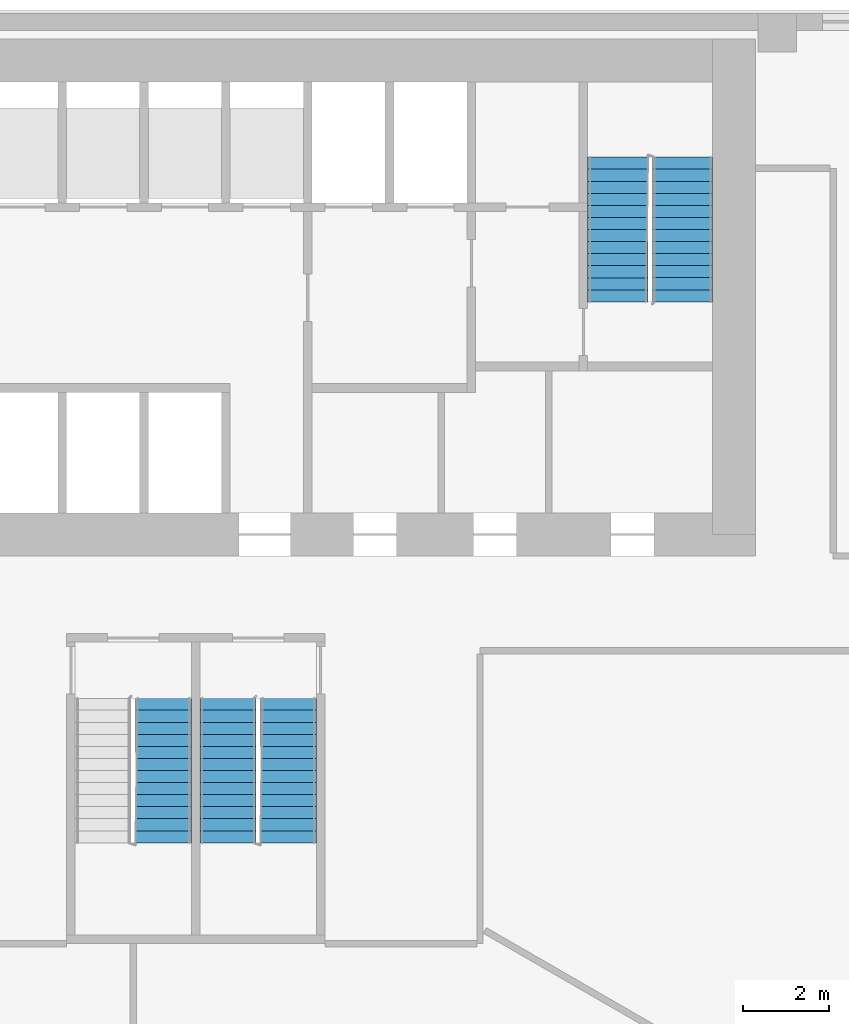
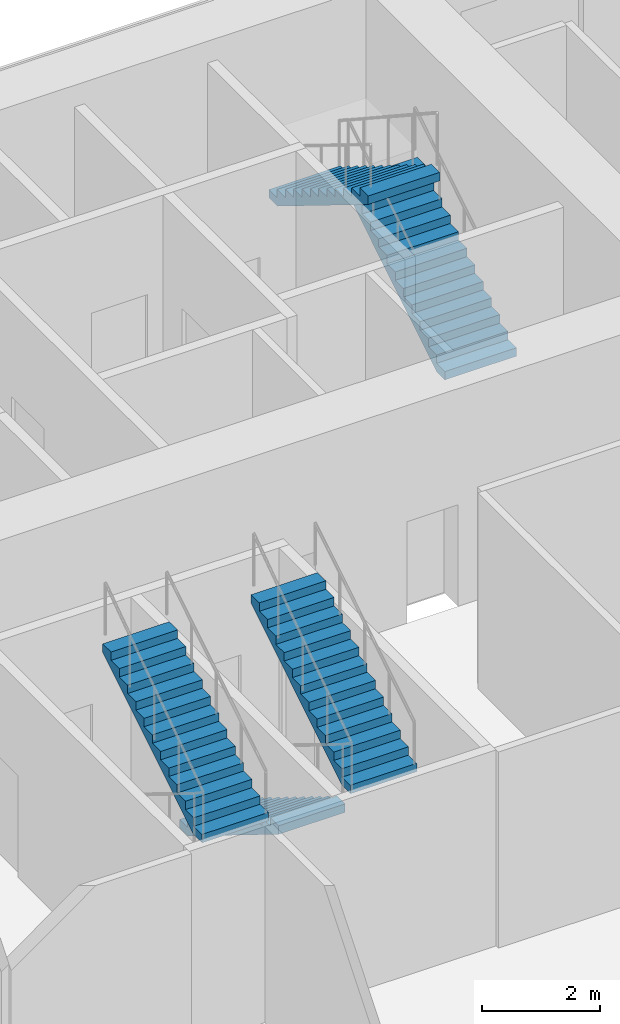
# One storey, part 7 of 9: 5 stair flights, 3 elements without a shape of their own.
"""IFC4 building model written with IfcOpenShell, lengths in metres."""

from ifc_helpers import new_model, si_unit, direction, frame, origin, place, context, subcontext, project, spatial, polyline, outline, extrude, material, type_object, element, aggregate, save


model = new_model("IFC4")

# Units and contexts
model_context = context("Model", 3, precision=1e-05, world=origin(), true_north=direction((0.0, 1.0)))
body_context = subcontext(model_context, "Body", "Model", "MODEL_VIEW")
ifc_project = project(units=[si_unit("LENGTHUNIT", "METRE"), si_unit("AREAUNIT", "SQUARE_METRE"), si_unit("VOLUMEUNIT", "CUBIC_METRE"), si_unit("PLANEANGLEUNIT", "RADIAN"), si_unit("MASSUNIT", "GRAM", prefix="KILO")], contexts=[model_context])

# Site, building, storey
site_placement = place(None, origin())
site = spatial("IfcSite", under=ifc_project, at=site_placement, CompositionType="ELEMENT")
building_placement = place(site_placement, origin())
building = spatial("IfcBuilding", under=site, at=building_placement, Name="Altiplano Prism Tower", CompositionType="ELEMENT")
storey_placement = place(building_placement, frame((0.0, 0.0, 9.0)))
storey = spatial("IfcBuildingStorey", under=building, at=storey_placement, Name="L01", CompositionType="ELEMENT", Elevation=9.0)

# Stair, stair flights
ifc_material = material(Name="Concrete C40/50", Category="concrete")
stair_type_1 = type_object("IfcStairType", Name="Exit stair 1400", PredefinedType="HALF_TURN_STAIR", material=ifc_material)
stair_1_placement = place(storey_placement, origin())
stair_1 = element("IfcStair", 1, at=stair_1_placement, inside=storey, type_object=stair_type_1, Name="L01 Exit Stair 2", PredefinedType="HALF_TURN_STAIR")
stair_flight_type = type_object("IfcStairFlightType", Name="Stair flight concrete 150", PredefinedType="STRAIGHT", material=ifc_material)
stair_flight_1_placement = place(storey_placement, frame((96.300048828125, 98.300048828125, 0.0), z_axis=(0.0, 0.0, 1.0), x_axis=(0.0, 1.0, 0.0)))
stair_flight_1 = element("IfcStairFlight", 2, at=stair_flight_1_placement, type_object=stair_flight_type, Name="ST2 flight 1", NumberOfRisers=13, NumberOfTreads=12, PredefinedType="STRAIGHT", RiserHeight=0.173076923, TreadLength=0.28, context=body_context, shape_type="SweptSolid", body=[
    extrude(outline(polyline([(0.0, 0.0), (0.0, 0.173095703125), (0.280029296875, 0.173095703125), (0.280029296875, 0.34619140625), (0.56005859375, 0.34619140625), (0.56005859375, 0.519287109375), (0.840087890625, 0.519287109375), (0.840087890625, 0.6923828125), (1.1201171875, 0.6923828125), (1.1201171875, 0.865478515625), (1.39990234375, 0.865478515625), (1.39990234375, 1.03857421875), (1.679931640625, 1.03857421875), (1.679931640625, 1.21142578125), (1.9599609375, 1.21142578125), (1.9599609375, 1.384521484375), (2.239990234375, 1.384521484375), (2.239990234375, 1.5576171875), (2.52001953125, 1.5576171875), (2.52001953125, 1.730712890625), (2.800048828125, 1.730712890625), (2.800048828125, 1.90380859375), (3.080078125, 1.90380859375), (3.080078125, 2.076904296875), (3.360107421875, 2.076904296875), (3.360107421875, 2.25), (3.360107421875, 1.900634765625), (0.28515625, 0.0), (0.0, 0.0)])), frame((0.0, 0.699951171875, 0.0), z_axis=(0.0, -1.0, 0.0), x_axis=(1.0, 0.0, 0.0)), (0.0, 0.0, 1.0), 1.39990234375),
])
stair_flight_2_placement = place(storey_placement, frame((94.800048828125, 101.659912109375, 2.25), z_axis=(0.0, 0.0, 1.0), x_axis=(0.0, -1.0, 0.0)))
stair_flight_2 = element("IfcStairFlight", 3, at=stair_flight_2_placement, type_object=stair_flight_type, Name="ST2 flight 2", NumberOfRisers=13, NumberOfTreads=12, PredefinedType="STRAIGHT", RiserHeight=0.173076923, TreadLength=0.28, context=body_context, shape_type="SweptSolid", body=[
    extrude(outline(polyline([(0.0, 0.0), (0.0, 0.173095703125), (0.280029296875, 0.173095703125), (0.280029296875, 0.34619140625), (0.56005859375, 0.34619140625), (0.56005859375, 0.519287109375), (0.840087890625, 0.519287109375), (0.840087890625, 0.6923828125), (1.1201171875, 0.6923828125), (1.1201171875, 0.865478515625), (1.39990234375, 0.865478515625), (1.39990234375, 1.03857421875), (1.679931640625, 1.03857421875), (1.679931640625, 1.21142578125), (1.9599609375, 1.21142578125), (1.9599609375, 1.384521484375), (2.239990234375, 1.384521484375), (2.239990234375, 1.5576171875), (2.52001953125, 1.5576171875), (2.52001953125, 1.730712890625), (2.800048828125, 1.730712890625), (2.800048828125, 1.90380859375), (3.080078125, 1.90380859375), (3.080078125, 2.076904296875), (3.360107421875, 2.076904296875), (3.360107421875, 2.25), (3.360107421875, 1.900634765625), (0.28515625, 0.0), (0.0, 0.0)])), frame((0.0, 0.699951171875, 0.0), z_axis=(0.0, -1.0, 0.0), x_axis=(1.0, 0.0, 0.0)), (0.0, 0.0, 1.0), 1.39990234375),
])
aggregate(stair_1, [stair_flight_1, stair_flight_2])

# Stair, stair flight
stair_type_2 = type_object("IfcStairType", Name="Exit stair 1300", PredefinedType="HALF_TURN_STAIR", material=ifc_material)
stair_2_placement = place(storey_placement, origin())
stair_2 = element("IfcStair", 4, at=stair_2_placement, inside=storey, type_object=stair_type_2, Name="L01 Exit Stair 3A", PredefinedType="HALF_TURN_STAIR")
stair_flight_3_placement = place(storey_placement, frame((84.25, 85.739990234375, 2.25), z_axis=(0.0, 0.0, 1.0), x_axis=(0.0, 1.0, 0.0)))
stair_flight_3 = element("IfcStairFlight", 5, at=stair_flight_3_placement, type_object=stair_flight_type, Name="ST3A flight 2", NumberOfRisers=13, NumberOfTreads=12, PredefinedType="STRAIGHT", RiserHeight=0.173076923, TreadLength=0.28, context=body_context, shape_type="SweptSolid", body=[
    extrude(outline(polyline([(0.0, 0.0), (0.0, 0.173095703125), (0.280029296875, 0.173095703125), (0.280029296875, 0.34619140625), (0.56005859375, 0.34619140625), (0.56005859375, 0.519287109375), (0.840087890625, 0.519287109375), (0.840087890625, 0.6923828125), (1.1201171875, 0.6923828125), (1.1201171875, 0.865478515625), (1.39990234375, 0.865478515625), (1.39990234375, 1.03857421875), (1.679931640625, 1.03857421875), (1.679931640625, 1.21142578125), (1.9599609375, 1.21142578125), (1.9599609375, 1.384521484375), (2.239990234375, 1.384521484375), (2.239990234375, 1.5576171875), (2.52001953125, 1.5576171875), (2.52001953125, 1.730712890625), (2.800048828125, 1.730712890625), (2.800048828125, 1.90380859375), (3.080078125, 1.90380859375), (3.080078125, 2.076904296875), (3.360107421875, 2.076904296875), (3.360107421875, 2.25), (3.360107421875, 1.900634765625), (0.28515625, 0.0), (0.0, 0.0)])), frame((0.0, 0.64990234375, 0.0), z_axis=(0.0, -1.0, 0.0), x_axis=(1.0, 0.0, 0.0)), (0.0, 0.0, 1.0), 1.300048828125),
])
aggregate(stair_2, [stair_flight_3])

# Stair, stair flights
stair_3_placement = place(storey_placement, origin())
stair_3 = element("IfcStair", 6, at=stair_3_placement, inside=storey, type_object=stair_type_2, Name="L01 Exit Stair 3B", PredefinedType="HALF_TURN_STAIR")
stair_flight_4_placement = place(storey_placement, frame((85.75, 89.10009765625, 0.0), z_axis=(0.0, 0.0, 1.0), x_axis=(0.0, -1.0, 0.0)))
stair_flight_4 = element("IfcStairFlight", 7, at=stair_flight_4_placement, type_object=stair_flight_type, Name="ST3B flight 1", NumberOfRisers=13, NumberOfTreads=12, PredefinedType="STRAIGHT", RiserHeight=0.173076923, TreadLength=0.28, context=body_context, shape_type="SweptSolid", body=[
    extrude(outline(polyline([(0.0, 0.0), (0.0, 0.173095703125), (0.280029296875, 0.173095703125), (0.280029296875, 0.34619140625), (0.56005859375, 0.34619140625), (0.56005859375, 0.519287109375), (0.840087890625, 0.519287109375), (0.840087890625, 0.6923828125), (1.1201171875, 0.6923828125), (1.1201171875, 0.865478515625), (1.39990234375, 0.865478515625), (1.39990234375, 1.03857421875), (1.679931640625, 1.03857421875), (1.679931640625, 1.21142578125), (1.9599609375, 1.21142578125), (1.9599609375, 1.384521484375), (2.239990234375, 1.384521484375), (2.239990234375, 1.5576171875), (2.52001953125, 1.5576171875), (2.52001953125, 1.730712890625), (2.800048828125, 1.730712890625), (2.800048828125, 1.90380859375), (3.080078125, 1.90380859375), (3.080078125, 2.076904296875), (3.360107421875, 2.076904296875), (3.360107421875, 2.25), (3.360107421875, 1.900634765625), (0.28515625, 0.0), (0.0, 0.0)])), frame((0.0, 0.64990234375, 0.0), z_axis=(0.0, -1.0, 0.0), x_axis=(1.0, 0.0, 0.0)), (0.0, 0.0, 1.0), 1.300048828125),
])
stair_flight_5_placement = place(storey_placement, frame((87.14990234375, 85.739990234375, 2.25), z_axis=(0.0, 0.0, 1.0), x_axis=(0.0, 1.0, 0.0)))
stair_flight_5 = element("IfcStairFlight", 8, at=stair_flight_5_placement, type_object=stair_flight_type, Name="ST3B flight 2", NumberOfRisers=13, NumberOfTreads=12, PredefinedType="STRAIGHT", RiserHeight=0.173076923, TreadLength=0.28, context=body_context, shape_type="SweptSolid", body=[
    extrude(outline(polyline([(0.0, 0.0), (0.0, 0.173095703125), (0.280029296875, 0.173095703125), (0.280029296875, 0.34619140625), (0.56005859375, 0.34619140625), (0.56005859375, 0.519287109375), (0.840087890625, 0.519287109375), (0.840087890625, 0.6923828125), (1.1201171875, 0.6923828125), (1.1201171875, 0.865478515625), (1.39990234375, 0.865478515625), (1.39990234375, 1.03857421875), (1.679931640625, 1.03857421875), (1.679931640625, 1.21142578125), (1.9599609375, 1.21142578125), (1.9599609375, 1.384521484375), (2.239990234375, 1.384521484375), (2.239990234375, 1.5576171875), (2.52001953125, 1.5576171875), (2.52001953125, 1.730712890625), (2.800048828125, 1.730712890625), (2.800048828125, 1.90380859375), (3.080078125, 1.90380859375), (3.080078125, 2.076904296875), (3.360107421875, 2.076904296875), (3.360107421875, 2.25), (3.360107421875, 1.900634765625), (0.28515625, 0.0), (0.0, 0.0)])), frame((0.0, 0.64990234375, 0.0), z_axis=(0.0, -1.0, 0.0), x_axis=(1.0, 0.0, 0.0)), (0.0, 0.0, 1.0), 1.300048828125),
])
aggregate(stair_3, [stair_flight_4, stair_flight_5])

save(model, "model.ifc")
